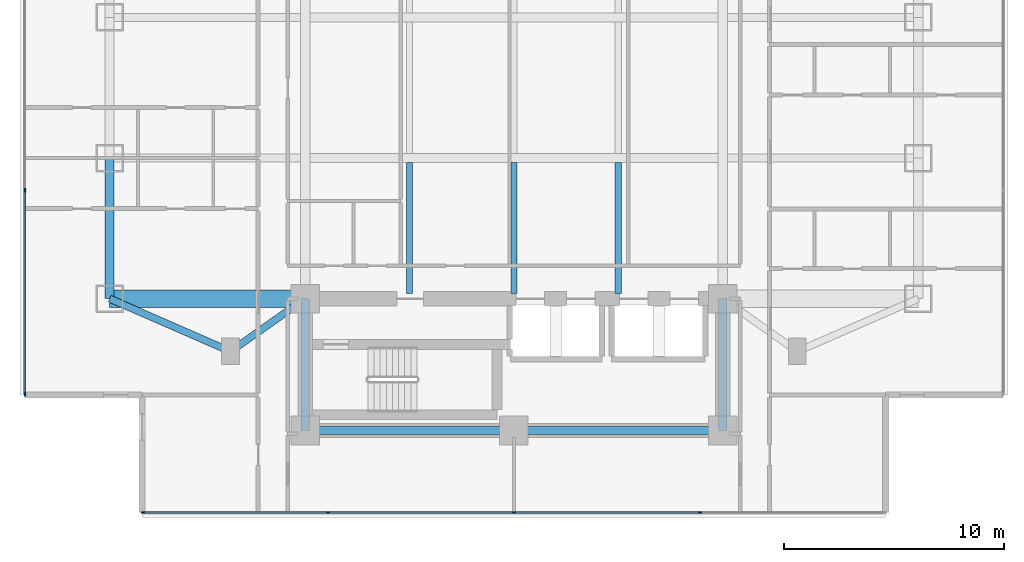
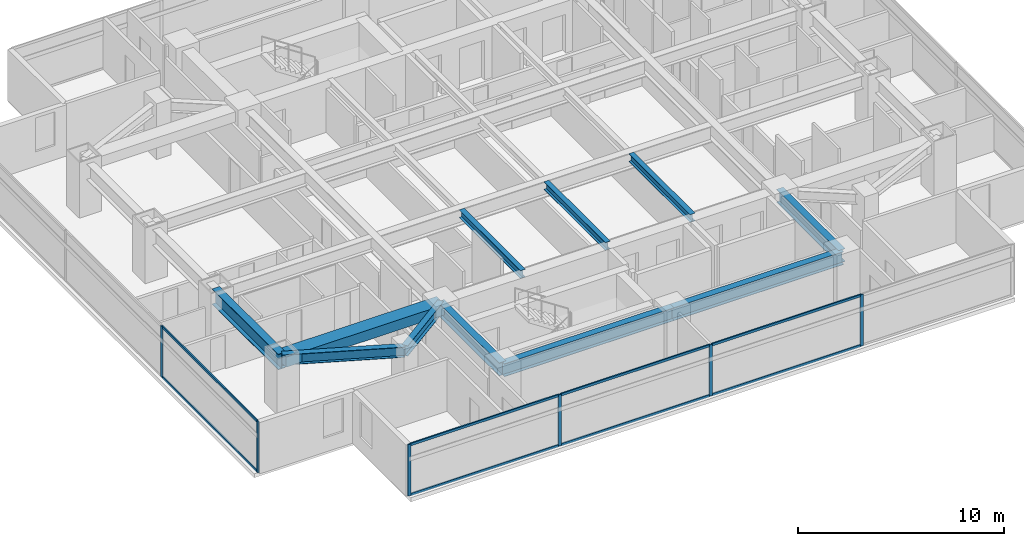
# One storey, part 2 of 24: 14 members, 11 beams, 2 elements without a shape of their own.
"""IFC4 building model written with IfcOpenShell, lengths in metres."""

from ifc_helpers import new_model, si_unit, direction, frame, origin, origin_2d, place, context, subcontext, project, spatial, rectangle, i_section, extrude, material, material_profile, profile_set, type_object, element, aggregate, save


model = new_model("IFC4")

# Units and contexts
model_context = context("Model", 3, precision=1e-05, world=origin(), true_north=direction((0.0, 1.0)))
body_context = subcontext(model_context, "Body", "Model", "MODEL_VIEW")
ifc_project = project(units=[si_unit("LENGTHUNIT", "METRE"), si_unit("AREAUNIT", "SQUARE_METRE"), si_unit("VOLUMEUNIT", "CUBIC_METRE"), si_unit("PLANEANGLEUNIT", "RADIAN"), si_unit("MASSUNIT", "GRAM", prefix="KILO")], contexts=[model_context])

# Site, building, storey
site_placement = place(None, origin())
site = spatial("IfcSite", under=ifc_project, at=site_placement, CompositionType="ELEMENT")
building_placement = place(site_placement, origin())
building = spatial("IfcBuilding", under=site, at=building_placement, Name="Mirazonda Arch Towers", CompositionType="ELEMENT")
storey_placement = place(building_placement, frame((0.0, 0.0, 71.89990234375)))
storey = spatial("IfcBuildingStorey", under=building, at=storey_placement, Name="L20", CompositionType="ELEMENT", Elevation=71.89990234375)

# Beams
ifc_material_1 = material(Name="Steel ASTM A992 Grade 50", Category="steel")
ifc_material_profile_1 = material_profile(ifc_material_1, i_section(OverallWidth=0.41796875, OverallDepth=0.927001953125, WebThickness=0.019287109375, FlangeThickness=0.031982421875, at=origin_2d()), Name="W36X231")
ifc_profile_set_1 = profile_set([ifc_material_profile_1], Name="Steel ASTM A992 Grade 50")
beam_type_1 = type_object("IfcBeamType", Name="BM-EXT-W36X231", PredefinedType="USERDEFINED", material=ifc_profile_set_1)
beam_1_placement = place(storey_placement, frame((2.10009765625, 18.39990234375, 2.5966796875), z_axis=(0.0, 1.0, 0.0), x_axis=(-1.0, 0.0, 0.0)))
element("IfcBeam", 1, at=beam_1_placement, inside=storey, type_object=beam_type_1, Name="L20 Floor Beam BM-T1-L20-NS-W-18", ObjectType="GIRDER", PredefinedType="USERDEFINED", context=body_context, shape_type="SweptSolid", body=[
    extrude(i_section(OverallWidth=0.41796875, OverallDepth=0.927001953125, WebThickness=0.019287109375, FlangeThickness=0.031982421875, at=origin_2d()), origin(), (0.0, 0.0, 1.0), 6.400146484375),
])
ifc_material_profile_2 = material_profile(ifc_material_1, i_section(OverallWidth=0.280029296875, OverallDepth=0.462890625, WebThickness=0.0107421875, FlangeThickness=0.017333984375, at=origin_2d()), Name="W18X76")
ifc_profile_set_2 = profile_set([ifc_material_profile_2], Name="Steel ASTM A992 Grade 50")
beam_type_2 = type_object("IfcBeamType", Name="BM-INT-W18X76", PredefinedType="JOIST", material=ifc_profile_set_2)
for number, where, z_axis, x_axis, name in (
    (2, (15.75, 18.639892578125, 2.82861328125), (0.0, 1.0, 0.0), (-1.0, 0.0, 0.0), "L20 Floor Beam BM-T1-L20-J-157-18"),
    (3, (20.5, 18.639892578125, 2.82861328125), (0.0, 1.0, 0.0), (-1.0, 0.0, 0.0), "L20 Floor Beam BM-T1-L20-J-205-18"),
    (4, (25.25, 18.639892578125, 2.82861328125), (0.0, 1.0, 0.0), (-1.0, 0.0, 0.0), "L20 Floor Beam BM-T1-L20-J-252-18"),
):
    element("IfcBeam", number, at=place(storey_placement, frame(where, z_axis=z_axis, x_axis=x_axis)), inside=storey, type_object=beam_type_2, Name=name, PredefinedType="JOIST", context=body_context, shape_type="SweptSolid", body=[
        extrude(i_section(OverallWidth=0.280029296875, OverallDepth=0.462890625, WebThickness=0.0107421875, FlangeThickness=0.017333984375, at=origin_2d()), origin(), (0.0, 0.0, 1.0), 5.95263671875),
    ])
ifc_material_profile_3 = material_profile(ifc_material_1, i_section(OverallWidth=0.324951171875, OverallDepth=0.615966796875, WebThickness=0.013916015625, FlangeThickness=0.021484375, at=origin_2d()), Name="W24X117")
ifc_profile_set_3 = profile_set([ifc_material_profile_3], Name="Steel ASTM A992 Grade 50")
beam_type_3 = type_object("IfcBeamType", Name="BM-INT-W24X117", PredefinedType="BEAM", material=ifc_profile_set_3)
beam_2_placement = place(storey_placement, frame((7.60009765625, 16.0, 2.752197265625), z_axis=(0.816971114901, 0.576678591087, 0.0), x_axis=(-0.576678591087, 0.816971114901, 0.0)))
element("IfcBeam", 5, at=beam_2_placement, inside=storey, type_object=beam_type_3, Name="L20 Floor Beam BM-T1-L20-PL-SW1", PredefinedType="BEAM", context=body_context, shape_type="SweptSolid", body=[
    extrude(i_section(OverallWidth=0.324951171875, OverallDepth=0.615966796875, WebThickness=0.013916015625, FlangeThickness=0.021484375, at=origin_2d()), origin(), (0.0, 0.0, 1.0), 4.16162109375),
])
beam_3_placement = place(storey_placement, frame((7.60009765625, 16.0, 2.752197265625), z_axis=(-0.916545343703, 0.399930785183, 0.0), x_axis=(-0.399930785183, -0.916545343703, 0.0)))
element("IfcBeam", 6, at=beam_3_placement, inside=storey, type_object=beam_type_3, Name="L20 Floor Beam BM-T1-L20-PL-SW2", PredefinedType="BEAM", context=body_context, shape_type="SweptSolid", body=[
    extrude(i_section(OverallWidth=0.324951171875, OverallDepth=0.615966796875, WebThickness=0.013916015625, FlangeThickness=0.021484375, at=origin_2d()), origin(), (0.0, 0.0, 1.0), 6.000732421875),
])
ifc_material_profile_4 = material_profile(ifc_material_1, i_section(OverallWidth=0.381103515625, OverallDepth=0.77294921875, WebThickness=0.0166015625, FlangeThickness=0.027099609375, at=origin_2d()), Name="W30X173")
ifc_profile_set_4 = profile_set([ifc_material_profile_4], Name="Steel ASTM A992 Grade 50")
beam_type_4 = type_object("IfcBeamType", Name="BM-INT-W30X173", PredefinedType="USERDEFINED", material=ifc_profile_set_4)
for number, where, z_axis, x_axis, name in (
    (7, (11.0, 12.39990234375, 2.673583984375), (1.0, 0.0, 0.0), (0.0, 1.0, 0.0), "L20 Floor Beam BM-T1-L20-CS1"),
    (8, (20.5, 12.39990234375, 2.673583984375), (1.0, 0.0, 0.0), (0.0, 1.0, 0.0), "L20 Floor Beam BM-T1-L20-CS2"),
):
    element("IfcBeam", number, at=place(storey_placement, frame(where, z_axis=z_axis, x_axis=x_axis)), inside=storey, type_object=beam_type_4, Name=name, ObjectType="GIRDER", PredefinedType="USERDEFINED", context=body_context, shape_type="SweptSolid", body=[
        extrude(i_section(OverallWidth=0.381103515625, OverallDepth=0.77294921875, WebThickness=0.0166015625, FlangeThickness=0.027099609375, at=origin_2d()), origin(), (0.0, 0.0, 1.0), 9.5),
    ])
for number, where, z_axis, x_axis, name in (
    (9, (11.0, 12.39990234375, 2.673583984375), (0.0, 1.0, 0.0), (-1.0, 0.0, 0.0), "L20 Floor Beam BM-T1-L20-CSW"),
    (10, (30.0, 12.39990234375, 2.673583984375), (0.0, 1.0, 0.0), (-1.0, 0.0, 0.0), "L20 Floor Beam BM-T1-L20-CSE"),
):
    element("IfcBeam", number, at=place(storey_placement, frame(where, z_axis=z_axis, x_axis=x_axis)), inside=storey, type_object=beam_type_4, Name=name, ObjectType="GIRDER", PredefinedType="USERDEFINED", context=body_context, shape_type="SweptSolid", body=[
        extrude(i_section(OverallWidth=0.381103515625, OverallDepth=0.77294921875, WebThickness=0.0166015625, FlangeThickness=0.027099609375, at=origin_2d()), origin(), (0.0, 0.0, 1.0), 6.0),
    ])
ifc_material_2 = material(Name="Concrete C60/75", Category="concrete")
ifc_material_profile_5 = material_profile(ifc_material_2, rectangle(XDim=0.800048828125, YDim=0.60009765625, at=origin_2d()), Name="RCCB800x600")
ifc_profile_set_5 = profile_set([ifc_material_profile_5], Name="Concrete C60/75")
beam_type_5 = type_object("IfcBeamType", Name="CB-INT-RCCB800x600", PredefinedType="SPANDREL", material=ifc_profile_set_5)
beam_4_placement = place(storey_placement, frame((2.10009765625, 18.39990234375, 2.760009765625), z_axis=(1.0, 0.0, 0.0), x_axis=(0.0, 1.0, 0.0)))
element("IfcBeam", 11, at=beam_4_placement, inside=storey, type_object=beam_type_5, Name="L20 Floor Beam CBC-T1-L20-SW", PredefinedType="SPANDREL", context=body_context, shape_type="SweptSolid", body=[
    extrude(rectangle(XDim=0.800048828125, YDim=0.60009765625, at=origin_2d()), origin(), (0.0, 0.0, 1.0), 8.89990234375),
])

# Curtain wall, members
ifc_material_3 = material(Name="Anodised Aluminium and Low-E Glass", Category="aluminium")
curtain_wall_type = type_object("IfcCurtainWallType", Name="CW-HTL-UNIT", PredefinedType="NOTDEFINED", material=ifc_material_3)
curtain_wall_1_placement = place(storey_placement, origin())
curtain_wall_1 = element("IfcCurtainWall", 12, at=curtain_wall_1_placement, inside=storey, type_object=curtain_wall_type, Name="L20 T1 S Facade CW-L20-T1-S", PredefinedType="NOTDEFINED")
ifc_material_4 = material(Name="Anodised Aluminium Alloy", Category="aluminium")
ifc_material_profile_6 = material_profile(ifc_material_4, rectangle(XDim=0.074951171875, YDim=0.1650390625, at=origin_2d()), Name="ALU-MULL-75x165")
ifc_profile_set_6 = profile_set([ifc_material_profile_6], Name="Anodised Aluminium Alloy")
member_type_1 = type_object("IfcMemberType", Name="MULL-CW-HTL-UNIT", PredefinedType="MULLION", material=ifc_profile_set_6)
member_1_placement = place(storey_placement, frame((28.9599609375, 8.672119140625, 0.0), z_axis=(0.0, 0.0, 1.0), x_axis=(0.0, -1.0, 0.0)))
member_1 = element("IfcMember", 13, at=member_1_placement, type_object=member_type_1, Name="CW-112 mullion 2", PredefinedType="MULLION", context=body_context, shape_type="SweptSolid", body=[
    extrude(rectangle(XDim=0.074951171875, YDim=0.1650390625, at=origin_2d()), origin(), (0.0, 0.0, 1.0), 3.0400390625),
])
member_2_placement = place(storey_placement, frame((20.5, 8.672119140625, 0.0), z_axis=(0.0, 0.0, 1.0), x_axis=(0.0, -1.0, 0.0)))
member_2 = element("IfcMember", 14, at=member_2_placement, type_object=member_type_1, Name="CW-112 mullion 3", PredefinedType="MULLION", context=body_context, shape_type="SweptSolid", body=[
    extrude(rectangle(XDim=0.074951171875, YDim=0.1650390625, at=origin_2d()), origin(), (0.0, 0.0, 1.0), 3.0400390625),
])
member_3_placement = place(storey_placement, frame((12.0400390625, 8.672119140625, 0.0), z_axis=(0.0, 0.0, 1.0), x_axis=(0.0, -1.0, 0.0)))
member_3 = element("IfcMember", 15, at=member_3_placement, type_object=member_type_1, Name="CW-112 mullion 4", PredefinedType="MULLION", context=body_context, shape_type="SweptSolid", body=[
    extrude(rectangle(XDim=0.074951171875, YDim=0.1650390625, at=origin_2d()), origin(), (0.0, 0.0, 1.0), 3.0400390625),
])
member_4_placement = place(storey_placement, frame((3.617431640625, 8.672119140625, 0.0), z_axis=(0.0, 0.0, 1.0), x_axis=(0.0, -1.0, 0.0)))
member_4 = element("IfcMember", 16, at=member_4_placement, type_object=member_type_1, Name="CW-112 mullion 5", PredefinedType="MULLION", context=body_context, shape_type="SweptSolid", body=[
    extrude(rectangle(XDim=0.074951171875, YDim=0.1650390625, at=origin_2d()), origin(), (0.0, 0.0, 1.0), 3.0400390625),
])

curtain_wall_2_placement = place(storey_placement, origin())
curtain_wall_2 = element("IfcCurtainWall", 17, at=curtain_wall_2_placement, inside=storey, type_object=curtain_wall_type, Name="L20 T1 W Facade CW-L20-T1-W", PredefinedType="NOTDEFINED")
member_5_placement = place(storey_placement, frame((-1.760009765625, 23.33740234375, 0.0), z_axis=(0.0, 0.0, 1.0), x_axis=(1.0, 0.0, 0.0)))
member_5 = element("IfcMember", 18, at=member_5_placement, type_object=member_type_1, Name="CW-112 mullion 3", PredefinedType="MULLION", context=body_context, shape_type="SweptSolid", body=[
    extrude(rectangle(XDim=0.074951171875, YDim=0.1650390625, at=origin_2d()), origin(), (0.0, 0.0, 1.0), 3.0400390625),
])
member_6_placement = place(storey_placement, frame((-1.760009765625, 14.049560546875, 0.0), z_axis=(0.0, 0.0, 1.0), x_axis=(1.0, 0.0, 0.0)))
member_6 = element("IfcMember", 19, at=member_6_placement, type_object=member_type_1, Name="CW-112 mullion 4", PredefinedType="MULLION", context=body_context, shape_type="SweptSolid", body=[
    extrude(rectangle(XDim=0.074951171875, YDim=0.1650390625, at=origin_2d()), origin(), (0.0, 0.0, 1.0), 3.0400390625),
])

# Member
ifc_material_profile_7 = material_profile(ifc_material_4, rectangle(XDim=0.074951171875, YDim=0.14501953125, at=origin_2d()), Name="ALU-TRAN-75x145")
ifc_profile_set_7 = profile_set([ifc_material_profile_7], Name="Anodised Aluminium Alloy")
member_type_2 = type_object("IfcMemberType", Name="TRAN-CW-HTL-UNIT", PredefinedType="USERDEFINED", material=ifc_profile_set_7)
member_7_placement = place(storey_placement, frame((28.922607421875, 8.672119140625, 0.03759765625), z_axis=(-1.0, 0.0, 0.0), x_axis=(0.0, -1.0, 0.0)))
member_7 = element("IfcMember", 20, at=member_7_placement, type_object=member_type_2, Name="CW-112 transom 2.1", ObjectType="TRANSOM", PredefinedType="USERDEFINED", context=body_context, shape_type="SweptSolid", body=[
    extrude(rectangle(XDim=0.074951171875, YDim=0.14501953125, at=origin_2d()), origin(), (0.0, 0.0, 1.0), 8.385009765625),
])

member_8_placement = place(storey_placement, frame((28.922607421875, 8.672119140625, 3.002685546875), z_axis=(-1.0, 0.0, 0.0), x_axis=(0.0, -1.0, 0.0)))
member_8 = element("IfcMember", 21, at=member_8_placement, type_object=member_type_2, Name="CW-112 transom 2.2", ObjectType="TRANSOM", PredefinedType="USERDEFINED", context=body_context, shape_type="SweptSolid", body=[
    extrude(rectangle(XDim=0.074951171875, YDim=0.14501953125, at=origin_2d()), origin(), (0.0, 0.0, 1.0), 8.385009765625),
])

member_9_placement = place(storey_placement, frame((20.46240234375, 8.672119140625, 0.03759765625), z_axis=(-1.0, 0.0, 0.0), x_axis=(0.0, -1.0, 0.0)))
member_9 = element("IfcMember", 22, at=member_9_placement, type_object=member_type_2, Name="CW-112 transom 3.1", ObjectType="TRANSOM", PredefinedType="USERDEFINED", context=body_context, shape_type="SweptSolid", body=[
    extrude(rectangle(XDim=0.074951171875, YDim=0.14501953125, at=origin_2d()), origin(), (0.0, 0.0, 1.0), 8.385009765625),
])

member_10_placement = place(storey_placement, frame((20.46240234375, 8.672119140625, 3.002685546875), z_axis=(-1.0, 0.0, 0.0), x_axis=(0.0, -1.0, 0.0)))
member_10 = element("IfcMember", 23, at=member_10_placement, type_object=member_type_2, Name="CW-112 transom 3.2", ObjectType="TRANSOM", PredefinedType="USERDEFINED", context=body_context, shape_type="SweptSolid", body=[
    extrude(rectangle(XDim=0.074951171875, YDim=0.14501953125, at=origin_2d()), origin(), (0.0, 0.0, 1.0), 8.385009765625),
])

member_11_placement = place(storey_placement, frame((12.00244140625, 8.672119140625, 0.03759765625), z_axis=(-1.0, 0.0, 0.0), x_axis=(0.0, -1.0, 0.0)))
member_11 = element("IfcMember", 24, at=member_11_placement, type_object=member_type_2, Name="CW-112 transom 4.1", ObjectType="TRANSOM", PredefinedType="USERDEFINED", context=body_context, shape_type="SweptSolid", body=[
    extrude(rectangle(XDim=0.074951171875, YDim=0.14501953125, at=origin_2d()), origin(), (0.0, 0.0, 1.0), 8.347412109375),
])

member_12_placement = place(storey_placement, frame((12.00244140625, 8.672119140625, 3.002685546875), z_axis=(-1.0, 0.0, 0.0), x_axis=(0.0, -1.0, 0.0)))
member_12 = element("IfcMember", 25, at=member_12_placement, type_object=member_type_2, Name="CW-112 transom 4.2", ObjectType="TRANSOM", PredefinedType="USERDEFINED", context=body_context, shape_type="SweptSolid", body=[
    extrude(rectangle(XDim=0.074951171875, YDim=0.14501953125, at=origin_2d()), origin(), (0.0, 0.0, 1.0), 8.347412109375),
])

aggregate(curtain_wall_1, [member_1, member_2, member_3, member_4, member_7, member_8, member_9, member_10, member_11, member_12])

member_13_placement = place(storey_placement, frame((-1.760009765625, 23.2998046875, 0.03759765625), z_axis=(0.0, -1.0, 0.0), x_axis=(1.0, 0.0, 0.0)))
member_13 = element("IfcMember", 26, at=member_13_placement, type_object=member_type_2, Name="CW-112 transom 3.1", ObjectType="TRANSOM", PredefinedType="USERDEFINED", context=body_context, shape_type="SweptSolid", body=[
    extrude(rectangle(XDim=0.074951171875, YDim=0.14501953125, at=origin_2d()), origin(), (0.0, 0.0, 1.0), 9.212890625),
])

member_14_placement = place(storey_placement, frame((-1.760009765625, 23.2998046875, 3.002685546875), z_axis=(0.0, -1.0, 0.0), x_axis=(1.0, 0.0, 0.0)))
member_14 = element("IfcMember", 27, at=member_14_placement, type_object=member_type_2, Name="CW-112 transom 3.2", ObjectType="TRANSOM", PredefinedType="USERDEFINED", context=body_context, shape_type="SweptSolid", body=[
    extrude(rectangle(XDim=0.074951171875, YDim=0.14501953125, at=origin_2d()), origin(), (0.0, 0.0, 1.0), 9.212890625),
])

aggregate(curtain_wall_2, [member_5, member_6, member_13, member_14])

save(model, "model.ifc")
